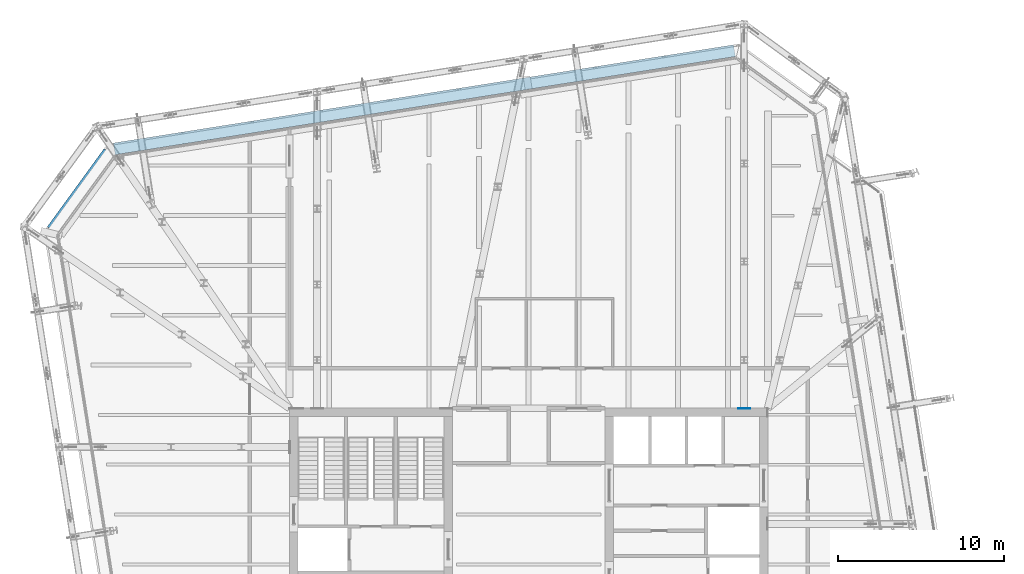
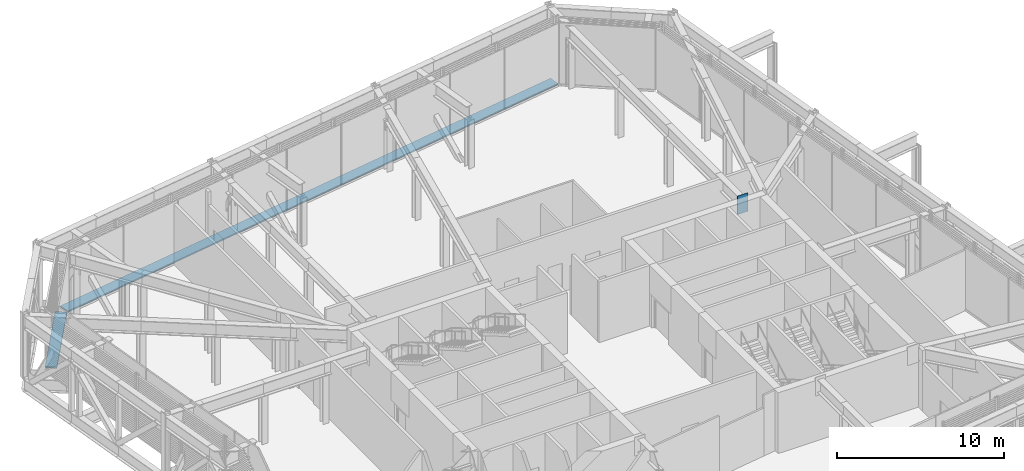
# One storey, part 27 of 35: 3 discrete accessories.
"""IFC4 building model written with IfcOpenShell, lengths in metres."""

from ifc_helpers import new_model, si_unit, direction, frame, origin, origin_2d, place, context, subcontext, project, spatial, rectangle, extrude, material, layer, layer_set, type_object, element, save


model = new_model("IFC4")

# Units and contexts
model_context = context("Model", 3, precision=1e-05, world=origin(), true_north=direction((0.0, 1.0)))
body_context = subcontext(model_context, "Body", "Model", "MODEL_VIEW")
ifc_project = project(units=[si_unit("LENGTHUNIT", "METRE"), si_unit("AREAUNIT", "SQUARE_METRE"), si_unit("VOLUMEUNIT", "CUBIC_METRE"), si_unit("PLANEANGLEUNIT", "RADIAN"), si_unit("MASSUNIT", "GRAM", prefix="KILO")], contexts=[model_context])

# Site, building, storey
site_placement = place(None, origin())
site = spatial("IfcSite", under=ifc_project, at=site_placement, CompositionType="ELEMENT")
building_placement = place(site_placement, origin())
building = spatial("IfcBuilding", under=site, at=building_placement, Name="Millrace Tower", CompositionType="ELEMENT")
storey_placement = place(building_placement, frame((0.0, 0.0, 200.10009765625)))
storey = spatial("IfcBuildingStorey", under=building, at=storey_placement, Name="L45", CompositionType="ELEMENT", Elevation=200.10009765625)

# Discrete accessories
ifc_material_1 = material(Name="Steel ASTM A572 Grade 50", Category="steel")
ifc_layer = layer(ifc_material_1, 0.034912109375)
ifc_layer_set = layer_set([ifc_layer], Name="Steel ASTM A572 Grade 50")
discrete_accessory_type_1 = type_object("IfcDiscreteAccessoryType", Name="Cast-in anchor plate 725x1350x35", PredefinedType="ANCHORPLATE", material=ifc_layer_set)
discrete_accessory_1_placement = place(storey_placement, frame((12.974609375, 9.364990234375, 3.96630859375), z_axis=(0.0, 1.0, 0.0), x_axis=(-1.0, 0.0, 0.0)))
element("IfcDiscreteAccessory", 1, at=discrete_accessory_1_placement, inside=storey, type_object=discrete_accessory_type_1, Name="Cast-in anchor plate TRS-L45-C10-T05", PredefinedType="ANCHORPLATE", context=body_context, shape_type="SweptSolid", body=[
    extrude(rectangle(XDim=0.72509765625, YDim=1.35009765625, at=origin_2d()), origin(), (0.0, 0.0, 1.0), 0.034912109375),
])
ifc_material_2 = material(Name="Stainless steel ASTM A240 type 316", Category="steel")
discrete_accessory_type_2 = type_object("IfcDiscreteAccessoryType", Name="Thermally broken screen support rail", PredefinedType="BRACKET", material=ifc_material_2)
discrete_accessory_2_placement = place(storey_placement, frame((-6.27783203125, 27.970458984375, -0.000244140625), z_axis=(0.0, 0.0, 1.0), x_axis=(-0.987688339511, -0.156434471884, 0.0)))
element("IfcDiscreteAccessory", 2, at=discrete_accessory_2_placement, inside=storey, type_object=discrete_accessory_type_2, Name="Thermally broken screen support rail D-F06 L45 1", PredefinedType="BRACKET", context=body_context, shape_type="SweptSolid", body=[
    extrude(rectangle(XDim=37.800048828125, YDim=0.719970703125, at=origin_2d()), origin(), (0.0, 0.0, 1.0), 0.10009765625),
])
discrete_accessory_3_placement = place(storey_placement, frame((-26.98193359375, 22.464599609375, -0.000244140625), z_axis=(0.0, 0.0, 1.0), x_axis=(-0.587785305991, -0.809016955361, 0.0)))
element("IfcDiscreteAccessory", 3, at=discrete_accessory_3_placement, inside=storey, type_object=discrete_accessory_type_2, Name="Thermally broken screen support rail D-F07 L45 1", PredefinedType="BRACKET", context=body_context, shape_type="SweptSolid", body=[
    extrude(rectangle(XDim=5.79833984375, YDim=0.719970703125, at=origin_2d()), origin(), (0.0, 0.0, 1.0), 0.10009765625),
])

save(model, "model.ifc")
